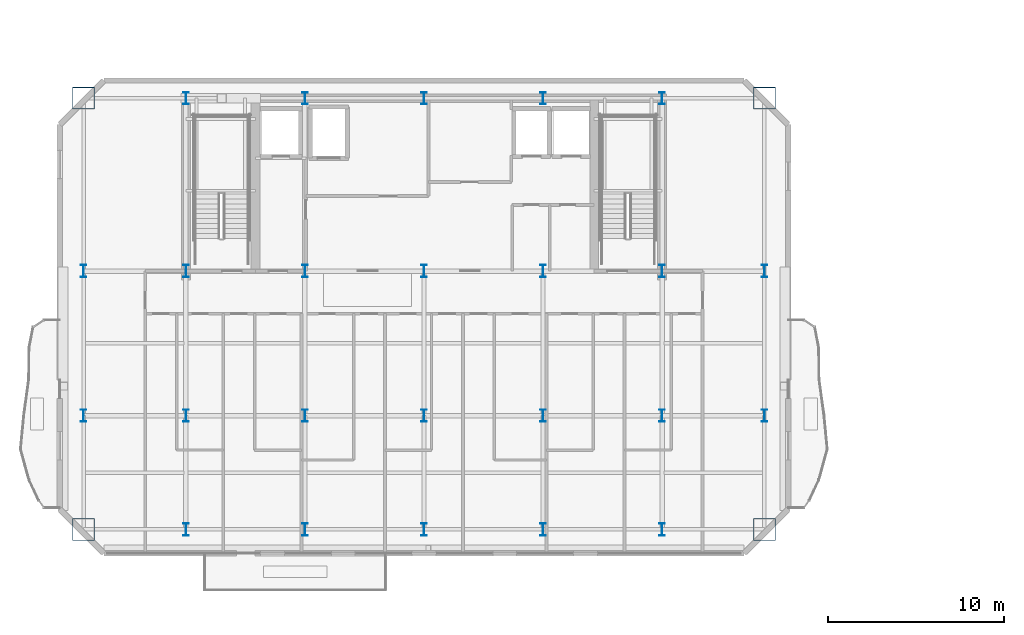
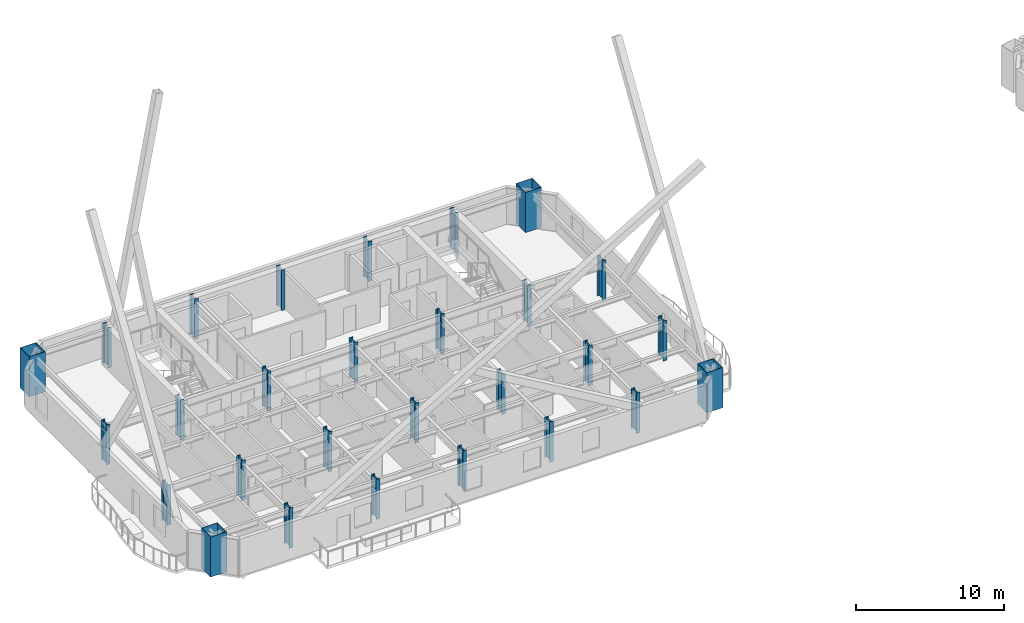
# One storey, part 1 of 20: 28 columns.
"""IFC4 building model written with IfcOpenShell, lengths in metres."""

from ifc_helpers import new_model, si_unit, direction, frame, origin, origin_2d, place, context, subcontext, project, spatial, hollow_rectangle, i_section, extrude, material, material_profile, profile_set, type_object, element, save


model = new_model("IFC4")

# Units and contexts
model_context = context("Model", 3, precision=1e-05, world=origin(), true_north=direction((0.0, 1.0)))
body_context = subcontext(model_context, "Body", "Model", "MODEL_VIEW")
ifc_project = project(units=[si_unit("LENGTHUNIT", "METRE"), si_unit("AREAUNIT", "SQUARE_METRE"), si_unit("VOLUMEUNIT", "CUBIC_METRE"), si_unit("PLANEANGLEUNIT", "RADIAN"), si_unit("MASSUNIT", "GRAM", prefix="KILO")], contexts=[model_context])

# Site, building, storey
site_placement = place(None, origin())
site = spatial("IfcSite", under=ifc_project, at=site_placement, CompositionType="ELEMENT")
building_placement = place(site_placement, origin())
building = spatial("IfcBuilding", under=site, at=building_placement, Name="Haevon Station Towers", CompositionType="ELEMENT")
storey_placement = place(building_placement, frame((0.0, 0.0, 175.800048828125)))
storey = spatial("IfcBuildingStorey", under=building, at=storey_placement, Name="L48", CompositionType="ELEMENT", Elevation=175.800048828125)

# Columns
ifc_material_1 = material(Name="Steel S460", Category="steel")
ifc_material_profile_1 = material_profile(ifc_material_1, hollow_rectangle(XDim=1.25, YDim=1.25, WallThickness=0.034912109375, at=origin_2d()), Name="BOX-1250x1250x35")
ifc_profile_set_1 = profile_set([ifc_material_profile_1], Name="Steel S460")
column_type_1 = type_object("IfcColumnType", Name="COL-MC4", PredefinedType="COLUMN", material=ifc_profile_set_1)
for number, where, z_axis, x_axis, name in (
    (1, (18.199951171875, 23.550048828125, 0.0), (0.0, 0.0, 1.0), (1.0, 0.0, 0.0), "COL-T1-L48-01-01"),
    (2, (18.199951171875, 48.0, 0.0), (0.0, 0.0, 1.0), (1.0, 0.0, 0.0), "COL-T1-L48-01-04"),
    (3, (56.800048828125, 23.550048828125, 0.0), (0.0, 0.0, 1.0), (1.0, 0.0, 0.0), "COL-T1-L48-07-01"),
    (4, (56.800048828125, 48.0, 0.0), (0.0, 0.0, 1.0), (1.0, 0.0, 0.0), "COL-T1-L48-07-04"),
):
    element("IfcColumn", number, at=place(storey_placement, frame(where, z_axis=z_axis, x_axis=x_axis)), inside=storey, type_object=column_type_1, Name=name, PredefinedType="COLUMN", context=body_context, shape_type="SweptSolid", body=[
        extrude(hollow_rectangle(XDim=1.25, YDim=1.25, WallThickness=0.034912109375, at=origin_2d()), origin(), (0.0, 0.0, 1.0), 3.300048828125),
    ])
ifc_material_2 = material(Name="Steel S355", Category="steel")
ifc_material_profile_2 = material_profile(ifc_material_2, i_section(OverallWidth=0.300048828125, OverallDepth=0.699951171875, WebThickness=0.01611328125, FlangeThickness=0.028076171875, at=origin_2d()), Name="H-700x300x16x28")
ifc_profile_set_2 = profile_set([ifc_material_profile_2], Name="Steel S355")
column_type_2 = type_object("IfcColumnType", Name="COL-TW3", PredefinedType="COLUMN", material=ifc_profile_set_2)
for number, where, z_axis, x_axis, name in (
    (5, (18.199951171875, 30.0, 0.0), (0.0, 0.0, 1.0), (1.0, 0.0, 0.0), "COL-T1-L48-01-02"),
    (6, (18.199951171875, 38.199951171875, 0.0), (0.0, 0.0, 1.0), (1.0, 0.0, 0.0), "COL-T1-L48-01-03"),
    (7, (24.0, 23.550048828125, 0.0), (0.0, 0.0, 1.0), (1.0, 0.0, 0.0), "COL-T1-L48-02-01"),
    (8, (24.0, 30.0, 0.0), (0.0, 0.0, 1.0), (1.0, 0.0, 0.0), "COL-T1-L48-02-02"),
    (9, (24.0, 38.199951171875, 0.0), (0.0, 0.0, 1.0), (1.0, 0.0, 0.0), "COL-T1-L48-02-03"),
    (10, (24.0, 48.0, 0.0), (0.0, 0.0, 1.0), (1.0, 0.0, 0.0), "COL-T1-L48-02-04"),
    (11, (30.75, 23.550048828125, 0.0), (0.0, 0.0, 1.0), (1.0, 0.0, 0.0), "COL-T1-L48-03-01"),
    (12, (30.75, 30.0, 0.0), (0.0, 0.0, 1.0), (1.0, 0.0, 0.0), "COL-T1-L48-03-02"),
    (13, (30.75, 38.199951171875, 0.0), (0.0, 0.0, 1.0), (1.0, 0.0, 0.0), "COL-T1-L48-03-03"),
    (14, (30.75, 48.0, 0.0), (0.0, 0.0, 1.0), (1.0, 0.0, 0.0), "COL-T1-L48-03-04"),
    (15, (37.5, 23.550048828125, 0.0), (0.0, 0.0, 1.0), (1.0, 0.0, 0.0), "COL-T1-L48-04-01"),
    (16, (37.5, 30.0, 0.0), (0.0, 0.0, 1.0), (1.0, 0.0, 0.0), "COL-T1-L48-04-02"),
    (17, (37.5, 38.199951171875, 0.0), (0.0, 0.0, 1.0), (1.0, 0.0, 0.0), "COL-T1-L48-04-03"),
    (18, (37.5, 48.0, 0.0), (0.0, 0.0, 1.0), (1.0, 0.0, 0.0), "COL-T1-L48-04-04"),
    (19, (44.25, 23.550048828125, 0.0), (0.0, 0.0, 1.0), (1.0, 0.0, 0.0), "COL-T1-L48-05-01"),
    (20, (44.25, 30.0, 0.0), (0.0, 0.0, 1.0), (1.0, 0.0, 0.0), "COL-T1-L48-05-02"),
    (21, (44.25, 38.199951171875, 0.0), (0.0, 0.0, 1.0), (1.0, 0.0, 0.0), "COL-T1-L48-05-03"),
    (22, (44.25, 48.0, 0.0), (0.0, 0.0, 1.0), (1.0, 0.0, 0.0), "COL-T1-L48-05-04"),
    (23, (51.0, 23.550048828125, 0.0), (0.0, 0.0, 1.0), (1.0, 0.0, 0.0), "COL-T1-L48-06-01"),
    (24, (51.0, 30.0, 0.0), (0.0, 0.0, 1.0), (1.0, 0.0, 0.0), "COL-T1-L48-06-02"),
    (25, (51.0, 38.199951171875, 0.0), (0.0, 0.0, 1.0), (1.0, 0.0, 0.0), "COL-T1-L48-06-03"),
    (26, (51.0, 48.0, 0.0), (0.0, 0.0, 1.0), (1.0, 0.0, 0.0), "COL-T1-L48-06-04"),
    (27, (56.800048828125, 30.0, 0.0), (0.0, 0.0, 1.0), (1.0, 0.0, 0.0), "COL-T1-L48-07-02"),
    (28, (56.800048828125, 38.199951171875, 0.0), (0.0, 0.0, 1.0), (1.0, 0.0, 0.0), "COL-T1-L48-07-03"),
):
    element("IfcColumn", number, at=place(storey_placement, frame(where, z_axis=z_axis, x_axis=x_axis)), inside=storey, type_object=column_type_2, Name=name, PredefinedType="COLUMN", context=body_context, shape_type="SweptSolid", body=[
        extrude(i_section(OverallWidth=0.300048828125, OverallDepth=0.699951171875, WebThickness=0.01611328125, FlangeThickness=0.028076171875, at=origin_2d()), origin(), (0.0, 0.0, 1.0), 3.300048828125),
    ])

save(model, "model.ifc")
